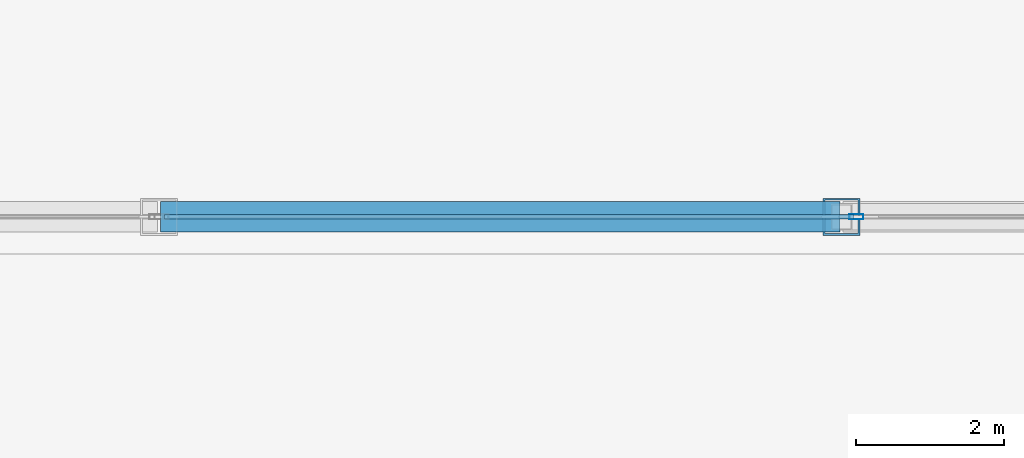
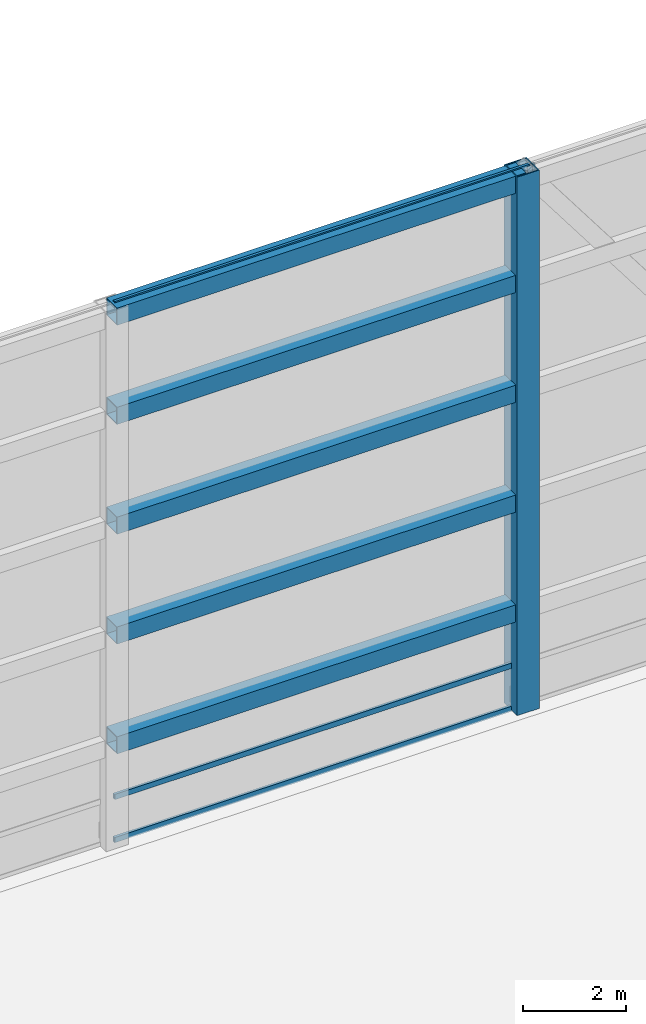
# One storey, part 12 of 23: 5 beams, 5 members, 1 element without a shape of its own.
"""IFC4 building model written with IfcOpenShell, lengths in metres."""

from ifc_helpers import new_model, si_unit, direction, frame, origin, origin_2d, place, context, subcontext, project, spatial, hollow_rectangle, extrude, source, transform, mapped, material, layer, layer_set, material_profile, profile_set, type_object, type_shapes, element, aggregate, save


model = new_model("IFC4")

# Units and contexts
model_context = context("Model", 3, precision=1e-05, world=origin(), true_north=direction((0.0, 1.0)))
body_context = subcontext(model_context, "Body", "Model", "MODEL_VIEW")
ifc_project = project(units=[si_unit("LENGTHUNIT", "METRE"), si_unit("AREAUNIT", "SQUARE_METRE"), si_unit("VOLUMEUNIT", "CUBIC_METRE"), si_unit("PLANEANGLEUNIT", "RADIAN"), si_unit("MASSUNIT", "GRAM", prefix="KILO")], contexts=[model_context])

# Site, building, storey
site_placement = place(None, origin())
site = spatial("IfcSite", under=ifc_project, at=site_placement, CompositionType="ELEMENT")
building_placement = place(site_placement, origin())
building = spatial("IfcBuilding", under=site, at=building_placement, Name="Varnel Quay Broadcast Tower", CompositionType="ELEMENT")
storey_placement = place(building_placement, frame((0.0, 0.0, 319.800048828125)))
storey = spatial("IfcBuildingStorey", under=building, at=storey_placement, Name="Roof", CompositionType="ELEMENT", Elevation=319.800048828125)

# Member
ifc_material_1 = material(Name="Structural Steel CSA G40.21 350WT", Category="steel")
ifc_material_profile_1 = material_profile(ifc_material_1, hollow_rectangle(XDim=0.5, YDim=0.5, WallThickness=0.02490234375, at=origin_2d()), Name="BOX500X500X25")
ifc_profile_set_1 = profile_set([ifc_material_profile_1], Name="Structural Steel CSA G40.21 350WT")
member_type_1 = type_object("IfcMemberType", Name="CrownRingPost_BOX500", PredefinedType="POST", material=ifc_profile_set_1)
shared_shape_1 = source(origin(), body_context, "Body", "SweptSolid", [
    extrude(hollow_rectangle(XDim=0.5, YDim=0.5, WallThickness=0.02490234375, at=origin_2d()), origin(), (0.0, 0.0, 1.0), 12.75),
])
type_shapes(member_type_1, [shared_shape_1])
member_1_placement = place(storey_placement, frame((43.199951171875, 43.60009765625, 0.0), z_axis=(0.0, 0.0, 1.0), x_axis=(1.0, 0.0, 0.0)))
element("IfcMember", 1, at=member_1_placement, inside=storey, type_object=member_type_1, Name="CROWN FRAME Ring Post 9", PredefinedType="POST", context=body_context, shape_type="MappedRepresentation", body=[
    mapped(shared_shape_1, transform((0.0, 0.0, 0.0), x_axis=(1.0, 0.0, 0.0), y_axis=(0.0, 1.0, 0.0), z_axis=(0.0, 0.0, 1.0), scale=1.0)),
])

# Beams
ifc_material_profile_2 = material_profile(ifc_material_1, hollow_rectangle(XDim=0.406005859375, YDim=0.406005859375, WallThickness=0.01611328125, at=origin_2d()), Name="HSS406X406X16")
ifc_profile_set_2 = profile_set([ifc_material_profile_2], Name="Structural Steel CSA G40.21 350WT")
beam_type = type_object("IfcBeamType", Name="CrownRingBeam_HSS406", PredefinedType="BEAM", material=ifc_profile_set_2)
shared_shape_2 = source(origin(), body_context, "Body", "SweptSolid", [
    extrude(hollow_rectangle(XDim=0.406005859375, YDim=0.406005859375, WallThickness=0.01611328125, at=origin_2d()), origin(), (0.0, 0.0, 1.0), 9.159912109375),
])
type_shapes(beam_type, [shared_shape_2])
for number, where, z_axis, x_axis, name in (
    (2, (43.179931640625, 43.60009765625, 2.39697265625), (-1.0, 0.0, 0.0), (0.0, -1.0, 0.0), "CROWN FRAME Ring Tier 1 Beam 9"),
    (3, (43.179931640625, 43.60009765625, 4.9970703125), (-1.0, 0.0, 0.0), (0.0, -1.0, 0.0), "CROWN FRAME Ring Tier 2 Beam 9"),
    (4, (43.179931640625, 43.60009765625, 7.596923828125), (-1.0, 0.0, 0.0), (0.0, -1.0, 0.0), "CROWN FRAME Ring Tier 3 Beam 9"),
    (5, (43.179931640625, 43.60009765625, 10.197021484375), (-1.0, 0.0, 0.0), (0.0, -1.0, 0.0), "CROWN FRAME Ring Tier 4 Beam 9"),
    (6, (43.179931640625, 43.60009765625, 12.546875), (-1.0, 0.0, 0.0), (0.0, -1.0, 0.0), "CROWN FRAME Ring Tier 5 Beam 9"),
):
    element("IfcBeam", number, at=place(storey_placement, frame(where, z_axis=z_axis, x_axis=x_axis)), inside=storey, type_object=beam_type, Name=name, PredefinedType="BEAM", context=body_context, shape_type="MappedRepresentation", body=[
        mapped(shared_shape_2, transform((0.0, 0.0, 0.0), x_axis=(1.0, 0.0, 0.0), y_axis=(0.0, 1.0, 0.0), z_axis=(0.0, 0.0, 1.0), scale=1.0)),
    ])

# Curtain wall, members
ifc_material_2 = material(Name="Anodised Bronze Aluminium 6063-T6", Category="aluminium")
ifc_layer = layer(ifc_material_2, 0.18994140625, Name="Anodised Bronze Aluminium 6063-T6")
ifc_layer_set = layer_set([ifc_layer], Name="Anodised Bronze Aluminium 6063-T6")
curtain_wall_type = type_object("IfcCurtainWallType", Name="CW_CrownScreen", PredefinedType="NOTDEFINED", material=ifc_layer_set)
curtain_wall_placement = place(storey_placement, origin())
curtain_wall = element("IfcCurtainWall", 7, at=curtain_wall_placement, inside=storey, type_object=curtain_wall_type, Name="Ring Crown Bronze Glazed Louvre Screen N1", PredefinedType="NOTDEFINED")
ifc_material_profile_3 = material_profile(ifc_material_2, hollow_rectangle(XDim=0.070068359375, YDim=0.18994140625, WallThickness=0.00390625, at=origin_2d()), Name="ALU70X190X4")
ifc_profile_set_3 = profile_set([ifc_material_profile_3], Name="Anodised Bronze Aluminium 6063-T6")
member_type_2 = type_object("IfcMemberType", Name="Mull_CWS-06", PredefinedType="MULLION", material=ifc_profile_set_3)
shared_shape_3 = source(origin(), body_context, "Body", "SweptSolid", [
    extrude(hollow_rectangle(XDim=0.070068359375, YDim=0.18994140625, WallThickness=0.00390625, at=origin_2d()), origin(), (0.0, 0.0, 1.0), 12.75),
])
type_shapes(member_type_2, [shared_shape_3])
member_2_placement = place(storey_placement, frame((43.39990234375, 43.60009765625, 0.0), z_axis=(0.0, 0.0, 1.0), x_axis=(0.0, -1.0, 0.0)))
member_2 = element("IfcMember", 8, at=member_2_placement, type_object=member_type_2, Name="CWS-06 mullion 2", PredefinedType="MULLION", context=body_context, shape_type="MappedRepresentation", body=[
    mapped(shared_shape_3, transform((0.0, 0.0, 0.0), x_axis=(1.0, 0.0, 0.0), y_axis=(0.0, 1.0, 0.0), z_axis=(0.0, 0.0, 1.0), scale=1.0)),
])
ifc_material_profile_4 = material_profile(ifc_material_2, hollow_rectangle(XDim=0.06005859375, YDim=0.125, WallThickness=0.0029296875, at=origin_2d()), Name="ALU60X125X3")
ifc_profile_set_4 = profile_set([ifc_material_profile_4], Name="Anodised Bronze Aluminium 6063-T6")
member_type_3 = type_object("IfcMemberType", Name="Tran_CWS-06", PredefinedType="USERDEFINED", material=ifc_profile_set_4)
shared_shape_4 = source(origin(), body_context, "Body", "SweptSolid", [
    extrude(hollow_rectangle(XDim=0.06005859375, YDim=0.125, WallThickness=0.0029296875, at=origin_2d()), origin(), (0.0, 0.0, 1.0), 9.294921875),
])
type_shapes(member_type_3, [shared_shape_4])
member_3_placement = place(storey_placement, frame((43.364990234375, 43.60009765625, 0.030029296875), z_axis=(-1.0, 0.0, 0.0), x_axis=(0.0, -1.0, 0.0)))
member_3 = element("IfcMember", 9, at=member_3_placement, type_object=member_type_3, Name="CWS-06 transom 2.1", ObjectType="TRANSOM", PredefinedType="USERDEFINED", context=body_context, shape_type="MappedRepresentation", body=[
    mapped(shared_shape_4, transform((0.0, 0.0, 0.0), x_axis=(1.0, 0.0, 0.0), y_axis=(0.0, 1.0, 0.0), z_axis=(0.0, 0.0, 1.0), scale=1.0)),
])
member_4_placement = place(storey_placement, frame((43.364990234375, 43.60009765625, 1.050048828125), z_axis=(-1.0, 0.0, 0.0), x_axis=(0.0, -1.0, 0.0)))
member_4 = element("IfcMember", 10, at=member_4_placement, type_object=member_type_3, Name="CWS-06 transom 2.2", ObjectType="TRANSOM", PredefinedType="USERDEFINED", context=body_context, shape_type="MappedRepresentation", body=[
    mapped(shared_shape_4, transform((0.0, 0.0, 0.0), x_axis=(1.0, 0.0, 0.0), y_axis=(0.0, 1.0, 0.0), z_axis=(0.0, 0.0, 1.0), scale=1.0)),
])
member_5_placement = place(storey_placement, frame((43.364990234375, 43.60009765625, 12.719970703125), z_axis=(-1.0, 0.0, 0.0), x_axis=(0.0, -1.0, 0.0)))
member_5 = element("IfcMember", 11, at=member_5_placement, type_object=member_type_3, Name="CWS-06 transom 2.3", ObjectType="TRANSOM", PredefinedType="USERDEFINED", context=body_context, shape_type="MappedRepresentation", body=[
    mapped(shared_shape_4, transform((0.0, 0.0, 0.0), x_axis=(1.0, 0.0, 0.0), y_axis=(0.0, 1.0, 0.0), z_axis=(0.0, 0.0, 1.0), scale=1.0)),
])
aggregate(curtain_wall, [member_2, member_3, member_4, member_5])

save(model, "model.ifc")
